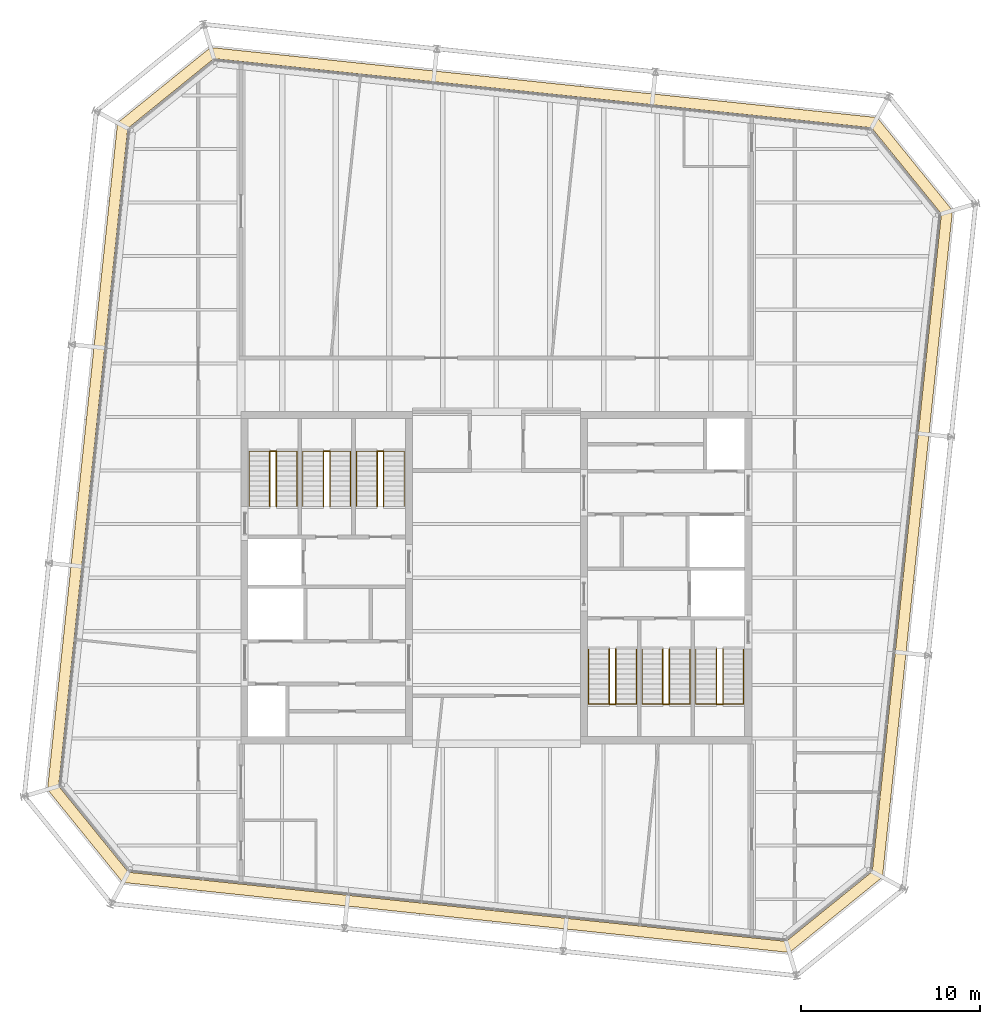
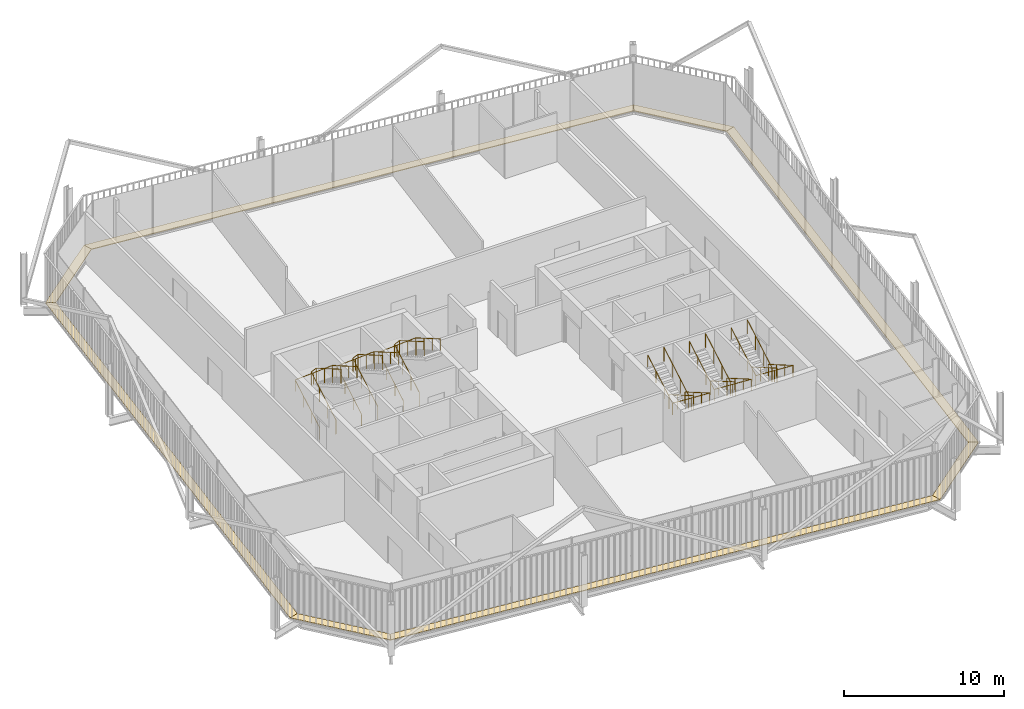
# One storey, part 21 of 21: 12 railings, 8 coverings.
"""IFC4 building model written with IfcOpenShell, lengths in metres."""

from ifc_helpers import new_model, si_unit, direction, frame, origin, origin_2d, place, context, subcontext, project, spatial, polyline, circle, outline, extrude, material, layer, layer_set, type_object, element, save


model = new_model("IFC4")

# Units and contexts
model_context = context("Model", 3, precision=1e-05, world=origin(), true_north=direction((0.0, 1.0)))
body_context = subcontext(model_context, "Body", "Model", "MODEL_VIEW")
ifc_project = project(units=[si_unit("LENGTHUNIT", "METRE"), si_unit("AREAUNIT", "SQUARE_METRE"), si_unit("VOLUMEUNIT", "CUBIC_METRE"), si_unit("PLANEANGLEUNIT", "RADIAN"), si_unit("MASSUNIT", "GRAM", prefix="KILO")], contexts=[model_context])

# Site, building, storey
site_placement = place(None, origin())
site = spatial("IfcSite", under=ifc_project, at=site_placement, CompositionType="ELEMENT")
building_placement = place(site_placement, origin())
building = spatial("IfcBuilding", under=site, at=building_placement, Name="Millrace Tower", CompositionType="ELEMENT")
storey_placement = place(building_placement, frame((0.0, 0.0, 299.39990234375)))
storey = spatial("IfcBuildingStorey", under=building, at=storey_placement, Name="L69", CompositionType="ELEMENT", Elevation=299.39990234375)

# Coverings
ifc_material_1 = material(Name="Steel ASTM A36", Category="steel")
ifc_layer = layer(ifc_material_1, 0.050048828125)
ifc_layer_set = layer_set([ifc_layer], Name="Steel ASTM A36")
covering_type = type_object("IfcCoveringType", Name="CAVITY CATWALK steel grating", PredefinedType="FLOORING", material=ifc_layer_set)
placement = place(storey_placement, frame((0.0, 0.0, 0.10009765625)))
element("IfcCovering", 1, at=placement, inside=storey, type_object=covering_type, Name="Cavity catwalk grating E-F01 L69 1", PredefinedType="FLOORING", context=body_context, shape_type="SweptSolid", body=[
    extrude(outline(polyline([(-25.13232421875, -11.8515625), (-20.914306640625, -17.060302734375), (-20.6044921875, -16.489501953125), (-24.509521484375, -11.6669921875), (-25.13232421875, -11.8515625)])), origin(), (0.0, 0.0, 1.0), 0.050048828125),
])
element("IfcCovering", 2, at=placement, inside=storey, type_object=covering_type, Name="Cavity catwalk grating E-F02 L69 1", PredefinedType="FLOORING", context=body_context, shape_type="SweptSolid", body=[
    extrude(outline(polyline([(-20.914306640625, -17.060302734375), (16.4013671875, -20.982177734375), (16.217041015625, -20.359619140625), (-20.6044921875, -16.489501953125), (-20.914306640625, -17.060302734375)])), origin(), (0.0, 0.0, 1.0), 0.050048828125),
])
element("IfcCovering", 3, at=placement, inside=storey, type_object=covering_type, Name="Cavity catwalk grating E-F03 L69 1", PredefinedType="FLOORING", context=body_context, shape_type="SweptSolid", body=[
    extrude(outline(polyline([(16.4013671875, -20.982177734375), (21.6103515625, -16.764404296875), (21.03955078125, -16.454345703125), (16.217041015625, -20.359619140625), (16.4013671875, -20.982177734375)])), origin(), (0.0, 0.0, 1.0), 0.050048828125),
])
element("IfcCovering", 4, at=placement, inside=storey, type_object=covering_type, Name="Cavity catwalk grating E-F04 L69 1", PredefinedType="FLOORING", context=body_context, shape_type="SweptSolid", body=[
    extrude(outline(polyline([(21.6103515625, -16.764404296875), (25.5322265625, 20.551513671875), (24.90966796875, 20.366943359375), (21.03955078125, -16.454345703125), (21.6103515625, -16.764404296875)])), origin(), (0.0, 0.0, 1.0), 0.050048828125),
])
element("IfcCovering", 5, at=placement, inside=storey, type_object=covering_type, Name="Cavity catwalk grating E-F05 L69 1", PredefinedType="FLOORING", context=body_context, shape_type="SweptSolid", body=[
    extrude(outline(polyline([(25.5322265625, 20.551513671875), (21.314208984375, 25.76025390625), (21.00439453125, 25.189453125), (24.90966796875, 20.366943359375), (25.5322265625, 20.551513671875)])), origin(), (0.0, 0.0, 1.0), 0.050048828125),
])
element("IfcCovering", 6, at=placement, inside=storey, type_object=covering_type, Name="Cavity catwalk grating E-F06 L69 1", PredefinedType="FLOORING", context=body_context, shape_type="SweptSolid", body=[
    extrude(outline(polyline([(21.314208984375, 25.76025390625), (-16.00146484375, 29.682373046875), (-15.817138671875, 29.0595703125), (21.00439453125, 25.189453125), (21.314208984375, 25.76025390625)])), origin(), (0.0, 0.0, 1.0), 0.050048828125),
])
element("IfcCovering", 7, at=placement, inside=storey, type_object=covering_type, Name="Cavity catwalk grating E-F07 L69 1", PredefinedType="FLOORING", context=body_context, shape_type="SweptSolid", body=[
    extrude(outline(polyline([(-16.00146484375, 29.682373046875), (-21.210205078125, 25.46435546875), (-20.639404296875, 25.154541015625), (-15.817138671875, 29.0595703125), (-16.00146484375, 29.682373046875)])), origin(), (0.0, 0.0, 1.0), 0.050048828125),
])
element("IfcCovering", 8, at=placement, inside=storey, type_object=covering_type, Name="Cavity catwalk grating E-F08 L69 1", PredefinedType="FLOORING", context=body_context, shape_type="SweptSolid", body=[
    extrude(outline(polyline([(-21.210205078125, 25.46435546875), (-25.13232421875, -11.8515625), (-24.509521484375, -11.6669921875), (-20.639404296875, 25.154541015625), (-21.210205078125, 25.46435546875)])), origin(), (0.0, 0.0, 1.0), 0.050048828125),
])

# Railings
ifc_material_2 = material(Name="Stainless steel ASTM A240 type 316", Category="steel")
railing_type_1 = type_object("IfcRailingType", Name="Stair guard 1100", PredefinedType="GUARDRAIL", material=ifc_material_2)
for number, where, name in (
    (9, (-12.679931640625, 4.0, 0.16259765625), "Stair guard 1 W L69"),
    (10, (-9.679931640625, 4.0, 0.16259765625), "Stair guard 2 W L69"),
    (11, (-6.679931640625, 4.0, 0.16259765625), "Stair guard 3 W L69"),
):
    element("IfcRailing", number, at=place(storey_placement, frame(where)), inside=storey, type_object=railing_type_1, Name=name, PredefinedType="GUARDRAIL", context=body_context, shape_type="SweptSolid", body=[
        extrude(circle(Radius=0.02392578125, at=origin_2d()), frame((0.0, 0.0, 1.076171875), z_axis=(0.0, 0.864890721111, 0.501960198159), x_axis=(-1.0, 0.0, 0.0)), (0.0, 0.0, 1.0), 3.561279296875),
        extrude(circle(Radius=0.02392578125, at=origin_2d()), frame((0.0, 3.080078125, 2.86376953125), z_axis=(0.91152767309, 0.0, 0.411238739895), x_axis=(0.0, 1.0, 0.0)), (0.0, 0.0, 1.0), 0.394775390625),
        extrude(circle(Radius=0.02392578125, at=origin_2d()), frame((0.35986328125, 3.080078125, 3.02587890625), z_axis=(0.0, -0.864890721111, 0.501960198159), x_axis=(1.0, 0.0, 0.0)), (0.0, 0.0, 1.0), 3.561279296875),
        extrude(circle(Radius=0.02099609375, at=origin_2d()), origin(), (0.0, 0.0, 1.0), 1.052001953125),
        extrude(circle(Radius=0.02099609375, at=origin_2d()), frame((0.0, 1.026611328125, 0.595947265625)), (0.0, 0.0, 1.0), 1.052001953125),
        extrude(circle(Radius=0.02099609375, at=origin_2d()), frame((0.0, 2.053466796875, 1.191650390625)), (0.0, 0.0, 1.0), 1.052001953125),
        extrude(circle(Radius=0.02099609375, at=origin_2d()), frame((0.0, 3.080078125, 1.78759765625)), (0.0, 0.0, 1.0), 1.052001953125),
        extrude(circle(Radius=0.02099609375, at=origin_2d()), frame((0.35986328125, 3.080078125, 1.949951171875)), (0.0, 0.0, 1.0), 1.052001953125),
        extrude(circle(Radius=0.02099609375, at=origin_2d()), frame((0.35986328125, 2.053466796875, 2.5458984375)), (0.0, 0.0, 1.0), 1.052001953125),
        extrude(circle(Radius=0.02099609375, at=origin_2d()), frame((0.35986328125, 1.026611328125, 3.1416015625)), (0.0, 0.0, 1.0), 1.052001953125),
        extrude(circle(Radius=0.02099609375, at=origin_2d()), frame((0.35986328125, 0.0, 3.737548828125)), (0.0, 0.0, 1.0), 1.052001953125),
    ])
for number, where, name in (
    (12, (12.679931640625, -4.0, 0.16259765625), "Stair guard 1 E L69"),
    (13, (9.679931640625, -4.0, 0.16259765625), "Stair guard 2 E L69"),
    (14, (6.679931640625, -4.0, 0.16259765625), "Stair guard 3 E L69"),
):
    element("IfcRailing", number, at=place(storey_placement, frame(where)), inside=storey, type_object=railing_type_1, Name=name, PredefinedType="GUARDRAIL", context=body_context, shape_type="SweptSolid", body=[
        extrude(circle(Radius=0.02392578125, at=origin_2d()), frame((0.0, 0.0, 1.076171875), z_axis=(0.0, -0.864890721111, 0.501960198159), x_axis=(1.0, 0.0, 0.0)), (0.0, 0.0, 1.0), 3.561279296875),
        extrude(circle(Radius=0.02392578125, at=origin_2d()), frame((0.0, -3.080078125, 2.86376953125), z_axis=(-0.91152767309, 0.0, 0.411238739895), x_axis=(0.0, -1.0, 0.0)), (0.0, 0.0, 1.0), 0.394775390625),
        extrude(circle(Radius=0.02392578125, at=origin_2d()), frame((-0.35986328125, -3.080078125, 3.02587890625), z_axis=(0.0, 0.864890721111, 0.501960198159), x_axis=(-1.0, 0.0, 0.0)), (0.0, 0.0, 1.0), 3.561279296875),
        extrude(circle(Radius=0.02099609375, at=origin_2d()), origin(), (0.0, 0.0, 1.0), 1.052001953125),
        extrude(circle(Radius=0.02099609375, at=origin_2d()), frame((0.0, -1.026611328125, 0.595947265625)), (0.0, 0.0, 1.0), 1.052001953125),
        extrude(circle(Radius=0.02099609375, at=origin_2d()), frame((0.0, -2.053466796875, 1.191650390625)), (0.0, 0.0, 1.0), 1.052001953125),
        extrude(circle(Radius=0.02099609375, at=origin_2d()), frame((0.0, -3.080078125, 1.78759765625)), (0.0, 0.0, 1.0), 1.052001953125),
        extrude(circle(Radius=0.02099609375, at=origin_2d()), frame((-0.35986328125, -3.080078125, 1.949951171875)), (0.0, 0.0, 1.0), 1.052001953125),
        extrude(circle(Radius=0.02099609375, at=origin_2d()), frame((-0.35986328125, -2.053466796875, 2.5458984375)), (0.0, 0.0, 1.0), 1.052001953125),
        extrude(circle(Radius=0.02099609375, at=origin_2d()), frame((-0.35986328125, -1.026611328125, 3.1416015625)), (0.0, 0.0, 1.0), 1.052001953125),
        extrude(circle(Radius=0.02099609375, at=origin_2d()), frame((-0.35986328125, 0.0, 3.737548828125)), (0.0, 0.0, 1.0), 1.052001953125),
    ])
ifc_material_3 = material(Name="Stainless steel ASTM A240 type 316", Category="steel")
railing_type_2 = type_object("IfcRailingType", Name="Stair handrail 900", PredefinedType="HANDRAIL", material=ifc_material_3)
railing_1_placement = place(storey_placement, frame((-13.840087890625, 4.0, 0.16259765625)))
element("IfcRailing", 15, at=railing_1_placement, inside=storey, type_object=railing_type_2, Name="Stair handrail 1 W L69", PredefinedType="HANDRAIL", context=body_context, shape_type="SweptSolid", body=[
    extrude(circle(Radius=0.02392578125, at=origin_2d()), frame((0.0, 0.0, 0.8759765625), z_axis=(0.0, 0.864890721111, 0.501960198159), x_axis=(-1.0, 0.0, 0.0)), (0.0, 0.0, 1.0), 3.561279296875),
    extrude(circle(Radius=0.02392578125, at=origin_2d()), frame((0.0, 3.080078125, 2.66357421875), z_axis=(0.998170326313, 0.0, 0.06046486309), x_axis=(0.0, 1.0, 0.0)), (0.0, 0.0, 1.0), 2.68505859375),
    extrude(circle(Radius=0.02392578125, at=origin_2d()), frame((2.68017578125, 3.080078125, 2.82568359375), z_axis=(0.0, -0.864890721111, 0.501960198159), x_axis=(1.0, 0.0, 0.0)), (0.0, 0.0, 1.0), 3.561279296875),
    extrude(circle(Radius=0.02099609375, at=origin_2d()), origin(), (0.0, 0.0, 1.0), 0.851806640625),
    extrude(circle(Radius=0.02099609375, at=origin_2d()), frame((0.0, 1.026611328125, 0.595947265625)), (0.0, 0.0, 1.0), 0.851806640625),
    extrude(circle(Radius=0.02099609375, at=origin_2d()), frame((0.0, 2.053466796875, 1.191650390625)), (0.0, 0.0, 1.0), 0.851806640625),
    extrude(circle(Radius=0.02099609375, at=origin_2d()), frame((0.0, 3.080078125, 1.78759765625)), (0.0, 0.0, 1.0), 0.851806640625),
    extrude(circle(Radius=0.02099609375, at=origin_2d()), frame((1.340087890625, 3.080078125, 1.86865234375)), (0.0, 0.0, 1.0), 0.851806640625),
    extrude(circle(Radius=0.02099609375, at=origin_2d()), frame((2.68017578125, 3.080078125, 1.949951171875)), (0.0, 0.0, 1.0), 0.851806640625),
    extrude(circle(Radius=0.02099609375, at=origin_2d()), frame((2.68017578125, 2.053466796875, 2.5458984375)), (0.0, 0.0, 1.0), 0.851806640625),
    extrude(circle(Radius=0.02099609375, at=origin_2d()), frame((2.68017578125, 1.026611328125, 3.1416015625)), (0.0, 0.0, 1.0), 0.851806640625),
    extrude(circle(Radius=0.02099609375, at=origin_2d()), frame((2.68017578125, 0.0, 3.737548828125)), (0.0, 0.0, 1.0), 0.851806640625),
])
railing_2_placement = place(storey_placement, frame((-10.840087890625, 4.0, 0.16259765625)))
element("IfcRailing", 16, at=railing_2_placement, inside=storey, type_object=railing_type_2, Name="Stair handrail 2 W L69", PredefinedType="HANDRAIL", context=body_context, shape_type="SweptSolid", body=[
    extrude(circle(Radius=0.02392578125, at=origin_2d()), frame((0.0, 0.0, 0.8759765625), z_axis=(0.0, 0.864890721111, 0.501960198159), x_axis=(-1.0, 0.0, 0.0)), (0.0, 0.0, 1.0), 3.561279296875),
    extrude(circle(Radius=0.02392578125, at=origin_2d()), frame((0.0, 3.080078125, 2.66357421875), z_axis=(0.998170326313, 0.0, 0.06046486309), x_axis=(0.0, 1.0, 0.0)), (0.0, 0.0, 1.0), 2.68505859375),
    extrude(circle(Radius=0.02392578125, at=origin_2d()), frame((2.68017578125, 3.080078125, 2.82568359375), z_axis=(0.0, -0.864890721111, 0.501960198159), x_axis=(1.0, 0.0, 0.0)), (0.0, 0.0, 1.0), 3.561279296875),
    extrude(circle(Radius=0.02099609375, at=origin_2d()), origin(), (0.0, 0.0, 1.0), 0.851806640625),
    extrude(circle(Radius=0.02099609375, at=origin_2d()), frame((0.0, 1.026611328125, 0.595947265625)), (0.0, 0.0, 1.0), 0.851806640625),
    extrude(circle(Radius=0.02099609375, at=origin_2d()), frame((0.0, 2.053466796875, 1.191650390625)), (0.0, 0.0, 1.0), 0.851806640625),
    extrude(circle(Radius=0.02099609375, at=origin_2d()), frame((0.0, 3.080078125, 1.78759765625)), (0.0, 0.0, 1.0), 0.851806640625),
    extrude(circle(Radius=0.02099609375, at=origin_2d()), frame((1.340087890625, 3.080078125, 1.86865234375)), (0.0, 0.0, 1.0), 0.851806640625),
    extrude(circle(Radius=0.02099609375, at=origin_2d()), frame((2.68017578125, 3.080078125, 1.949951171875)), (0.0, 0.0, 1.0), 0.851806640625),
    extrude(circle(Radius=0.02099609375, at=origin_2d()), frame((2.68017578125, 2.053466796875, 2.5458984375)), (0.0, 0.0, 1.0), 0.851806640625),
    extrude(circle(Radius=0.02099609375, at=origin_2d()), frame((2.68017578125, 1.026611328125, 3.1416015625)), (0.0, 0.0, 1.0), 0.851806640625),
    extrude(circle(Radius=0.02099609375, at=origin_2d()), frame((2.68017578125, 0.0, 3.737548828125)), (0.0, 0.0, 1.0), 0.851806640625),
])
railing_3_placement = place(storey_placement, frame((-7.840087890625, 4.0, 0.16259765625)))
element("IfcRailing", 17, at=railing_3_placement, inside=storey, type_object=railing_type_2, Name="Stair handrail 3 W L69", PredefinedType="HANDRAIL", context=body_context, shape_type="SweptSolid", body=[
    extrude(circle(Radius=0.02392578125, at=origin_2d()), frame((0.0, 0.0, 0.8759765625), z_axis=(0.0, 0.864890721111, 0.501960198159), x_axis=(-1.0, 0.0, 0.0)), (0.0, 0.0, 1.0), 3.561279296875),
    extrude(circle(Radius=0.02392578125, at=origin_2d()), frame((0.0, 3.080078125, 2.66357421875), z_axis=(0.998170326313, 0.0, 0.06046486309), x_axis=(0.0, 1.0, 0.0)), (0.0, 0.0, 1.0), 2.68505859375),
    extrude(circle(Radius=0.02392578125, at=origin_2d()), frame((2.68017578125, 3.080078125, 2.82568359375), z_axis=(0.0, -0.864890721111, 0.501960198159), x_axis=(1.0, 0.0, 0.0)), (0.0, 0.0, 1.0), 3.561279296875),
    extrude(circle(Radius=0.02099609375, at=origin_2d()), origin(), (0.0, 0.0, 1.0), 0.851806640625),
    extrude(circle(Radius=0.02099609375, at=origin_2d()), frame((0.0, 1.026611328125, 0.595947265625)), (0.0, 0.0, 1.0), 0.851806640625),
    extrude(circle(Radius=0.02099609375, at=origin_2d()), frame((0.0, 2.053466796875, 1.191650390625)), (0.0, 0.0, 1.0), 0.851806640625),
    extrude(circle(Radius=0.02099609375, at=origin_2d()), frame((0.0, 3.080078125, 1.78759765625)), (0.0, 0.0, 1.0), 0.851806640625),
    extrude(circle(Radius=0.02099609375, at=origin_2d()), frame((1.340087890625, 3.080078125, 1.86865234375)), (0.0, 0.0, 1.0), 0.851806640625),
    extrude(circle(Radius=0.02099609375, at=origin_2d()), frame((2.68017578125, 3.080078125, 1.949951171875)), (0.0, 0.0, 1.0), 0.851806640625),
    extrude(circle(Radius=0.02099609375, at=origin_2d()), frame((2.68017578125, 2.053466796875, 2.5458984375)), (0.0, 0.0, 1.0), 0.851806640625),
    extrude(circle(Radius=0.02099609375, at=origin_2d()), frame((2.68017578125, 1.026611328125, 3.1416015625)), (0.0, 0.0, 1.0), 0.851806640625),
    extrude(circle(Radius=0.02099609375, at=origin_2d()), frame((2.68017578125, 0.0, 3.737548828125)), (0.0, 0.0, 1.0), 0.851806640625),
])
railing_4_placement = place(storey_placement, frame((13.840087890625, -4.0, 0.16259765625)))
element("IfcRailing", 18, at=railing_4_placement, inside=storey, type_object=railing_type_2, Name="Stair handrail 1 E L69", PredefinedType="HANDRAIL", context=body_context, shape_type="SweptSolid", body=[
    extrude(circle(Radius=0.02392578125, at=origin_2d()), frame((0.0, 0.0, 0.8759765625), z_axis=(0.0, -0.864890721111, 0.501960198159), x_axis=(1.0, 0.0, 0.0)), (0.0, 0.0, 1.0), 3.561279296875),
    extrude(circle(Radius=0.02392578125, at=origin_2d()), frame((0.0, -3.080078125, 2.66357421875), z_axis=(-0.998170326313, 0.0, 0.06046486309), x_axis=(0.0, -1.0, 0.0)), (0.0, 0.0, 1.0), 2.68505859375),
    extrude(circle(Radius=0.02392578125, at=origin_2d()), frame((-2.68017578125, -3.080078125, 2.82568359375), z_axis=(0.0, 0.864890721111, 0.501960198159), x_axis=(-1.0, 0.0, 0.0)), (0.0, 0.0, 1.0), 3.561279296875),
    extrude(circle(Radius=0.02099609375, at=origin_2d()), origin(), (0.0, 0.0, 1.0), 0.851806640625),
    extrude(circle(Radius=0.02099609375, at=origin_2d()), frame((0.0, -1.026611328125, 0.595947265625)), (0.0, 0.0, 1.0), 0.851806640625),
    extrude(circle(Radius=0.02099609375, at=origin_2d()), frame((0.0, -2.053466796875, 1.191650390625)), (0.0, 0.0, 1.0), 0.851806640625),
    extrude(circle(Radius=0.02099609375, at=origin_2d()), frame((0.0, -3.080078125, 1.78759765625)), (0.0, 0.0, 1.0), 0.851806640625),
    extrude(circle(Radius=0.02099609375, at=origin_2d()), frame((-1.340087890625, -3.080078125, 1.86865234375)), (0.0, 0.0, 1.0), 0.851806640625),
    extrude(circle(Radius=0.02099609375, at=origin_2d()), frame((-2.68017578125, -3.080078125, 1.949951171875)), (0.0, 0.0, 1.0), 0.851806640625),
    extrude(circle(Radius=0.02099609375, at=origin_2d()), frame((-2.68017578125, -2.053466796875, 2.5458984375)), (0.0, 0.0, 1.0), 0.851806640625),
    extrude(circle(Radius=0.02099609375, at=origin_2d()), frame((-2.68017578125, -1.026611328125, 3.1416015625)), (0.0, 0.0, 1.0), 0.851806640625),
    extrude(circle(Radius=0.02099609375, at=origin_2d()), frame((-2.68017578125, 0.0, 3.737548828125)), (0.0, 0.0, 1.0), 0.851806640625),
])
railing_5_placement = place(storey_placement, frame((10.840087890625, -4.0, 0.16259765625)))
element("IfcRailing", 19, at=railing_5_placement, inside=storey, type_object=railing_type_2, Name="Stair handrail 2 E L69", PredefinedType="HANDRAIL", context=body_context, shape_type="SweptSolid", body=[
    extrude(circle(Radius=0.02392578125, at=origin_2d()), frame((0.0, 0.0, 0.8759765625), z_axis=(0.0, -0.864890721111, 0.501960198159), x_axis=(1.0, 0.0, 0.0)), (0.0, 0.0, 1.0), 3.561279296875),
    extrude(circle(Radius=0.02392578125, at=origin_2d()), frame((0.0, -3.080078125, 2.66357421875), z_axis=(-0.998170326313, 0.0, 0.06046486309), x_axis=(0.0, -1.0, 0.0)), (0.0, 0.0, 1.0), 2.68505859375),
    extrude(circle(Radius=0.02392578125, at=origin_2d()), frame((-2.68017578125, -3.080078125, 2.82568359375), z_axis=(0.0, 0.864890721111, 0.501960198159), x_axis=(-1.0, 0.0, 0.0)), (0.0, 0.0, 1.0), 3.561279296875),
    extrude(circle(Radius=0.02099609375, at=origin_2d()), origin(), (0.0, 0.0, 1.0), 0.851806640625),
    extrude(circle(Radius=0.02099609375, at=origin_2d()), frame((0.0, -1.026611328125, 0.595947265625)), (0.0, 0.0, 1.0), 0.851806640625),
    extrude(circle(Radius=0.02099609375, at=origin_2d()), frame((0.0, -2.053466796875, 1.191650390625)), (0.0, 0.0, 1.0), 0.851806640625),
    extrude(circle(Radius=0.02099609375, at=origin_2d()), frame((0.0, -3.080078125, 1.78759765625)), (0.0, 0.0, 1.0), 0.851806640625),
    extrude(circle(Radius=0.02099609375, at=origin_2d()), frame((-1.340087890625, -3.080078125, 1.86865234375)), (0.0, 0.0, 1.0), 0.851806640625),
    extrude(circle(Radius=0.02099609375, at=origin_2d()), frame((-2.68017578125, -3.080078125, 1.949951171875)), (0.0, 0.0, 1.0), 0.851806640625),
    extrude(circle(Radius=0.02099609375, at=origin_2d()), frame((-2.68017578125, -2.053466796875, 2.5458984375)), (0.0, 0.0, 1.0), 0.851806640625),
    extrude(circle(Radius=0.02099609375, at=origin_2d()), frame((-2.68017578125, -1.026611328125, 3.1416015625)), (0.0, 0.0, 1.0), 0.851806640625),
    extrude(circle(Radius=0.02099609375, at=origin_2d()), frame((-2.68017578125, 0.0, 3.737548828125)), (0.0, 0.0, 1.0), 0.851806640625),
])
railing_6_placement = place(storey_placement, frame((7.840087890625, -4.0, 0.16259765625)))
element("IfcRailing", 20, at=railing_6_placement, inside=storey, type_object=railing_type_2, Name="Stair handrail 3 E L69", PredefinedType="HANDRAIL", context=body_context, shape_type="SweptSolid", body=[
    extrude(circle(Radius=0.02392578125, at=origin_2d()), frame((0.0, 0.0, 0.8759765625), z_axis=(0.0, -0.864890721111, 0.501960198159), x_axis=(1.0, 0.0, 0.0)), (0.0, 0.0, 1.0), 3.561279296875),
    extrude(circle(Radius=0.02392578125, at=origin_2d()), frame((0.0, -3.080078125, 2.66357421875), z_axis=(-0.998170326313, 0.0, 0.06046486309), x_axis=(0.0, -1.0, 0.0)), (0.0, 0.0, 1.0), 2.68505859375),
    extrude(circle(Radius=0.02392578125, at=origin_2d()), frame((-2.68017578125, -3.080078125, 2.82568359375), z_axis=(0.0, 0.864890721111, 0.501960198159), x_axis=(-1.0, 0.0, 0.0)), (0.0, 0.0, 1.0), 3.561279296875),
    extrude(circle(Radius=0.02099609375, at=origin_2d()), origin(), (0.0, 0.0, 1.0), 0.851806640625),
    extrude(circle(Radius=0.02099609375, at=origin_2d()), frame((0.0, -1.026611328125, 0.595947265625)), (0.0, 0.0, 1.0), 0.851806640625),
    extrude(circle(Radius=0.02099609375, at=origin_2d()), frame((0.0, -2.053466796875, 1.191650390625)), (0.0, 0.0, 1.0), 0.851806640625),
    extrude(circle(Radius=0.02099609375, at=origin_2d()), frame((0.0, -3.080078125, 1.78759765625)), (0.0, 0.0, 1.0), 0.851806640625),
    extrude(circle(Radius=0.02099609375, at=origin_2d()), frame((-1.340087890625, -3.080078125, 1.86865234375)), (0.0, 0.0, 1.0), 0.851806640625),
    extrude(circle(Radius=0.02099609375, at=origin_2d()), frame((-2.68017578125, -3.080078125, 1.949951171875)), (0.0, 0.0, 1.0), 0.851806640625),
    extrude(circle(Radius=0.02099609375, at=origin_2d()), frame((-2.68017578125, -2.053466796875, 2.5458984375)), (0.0, 0.0, 1.0), 0.851806640625),
    extrude(circle(Radius=0.02099609375, at=origin_2d()), frame((-2.68017578125, -1.026611328125, 3.1416015625)), (0.0, 0.0, 1.0), 0.851806640625),
    extrude(circle(Radius=0.02099609375, at=origin_2d()), frame((-2.68017578125, 0.0, 3.737548828125)), (0.0, 0.0, 1.0), 0.851806640625),
])

save(model, "model.ifc")
